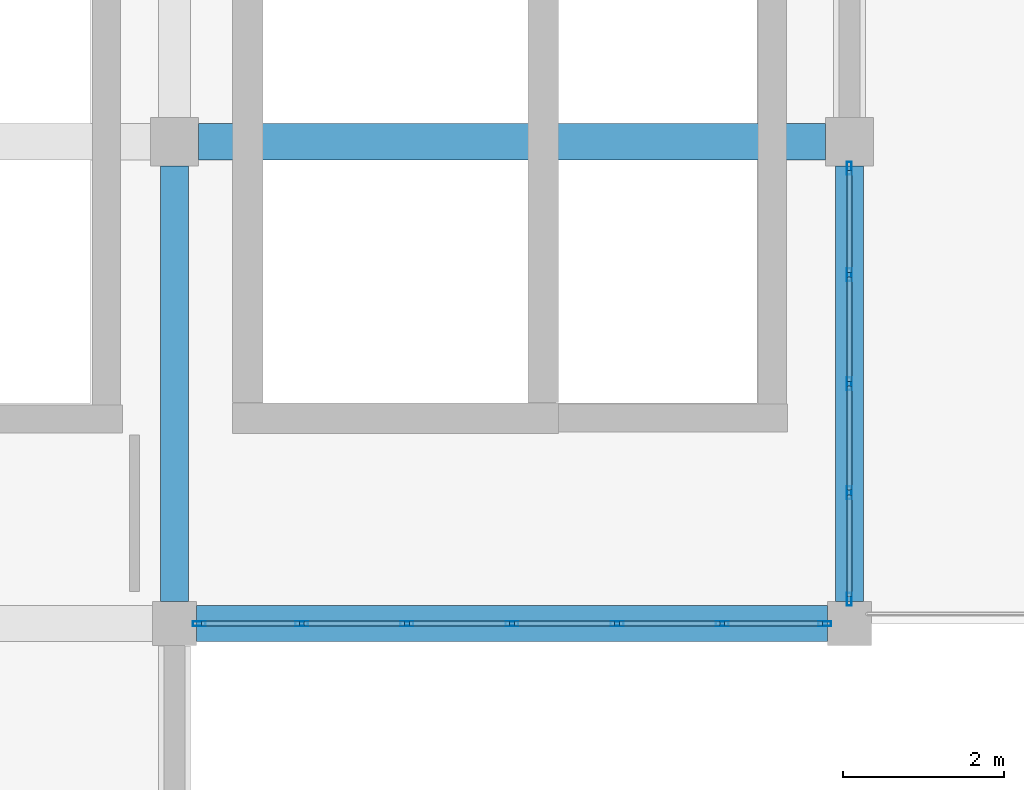
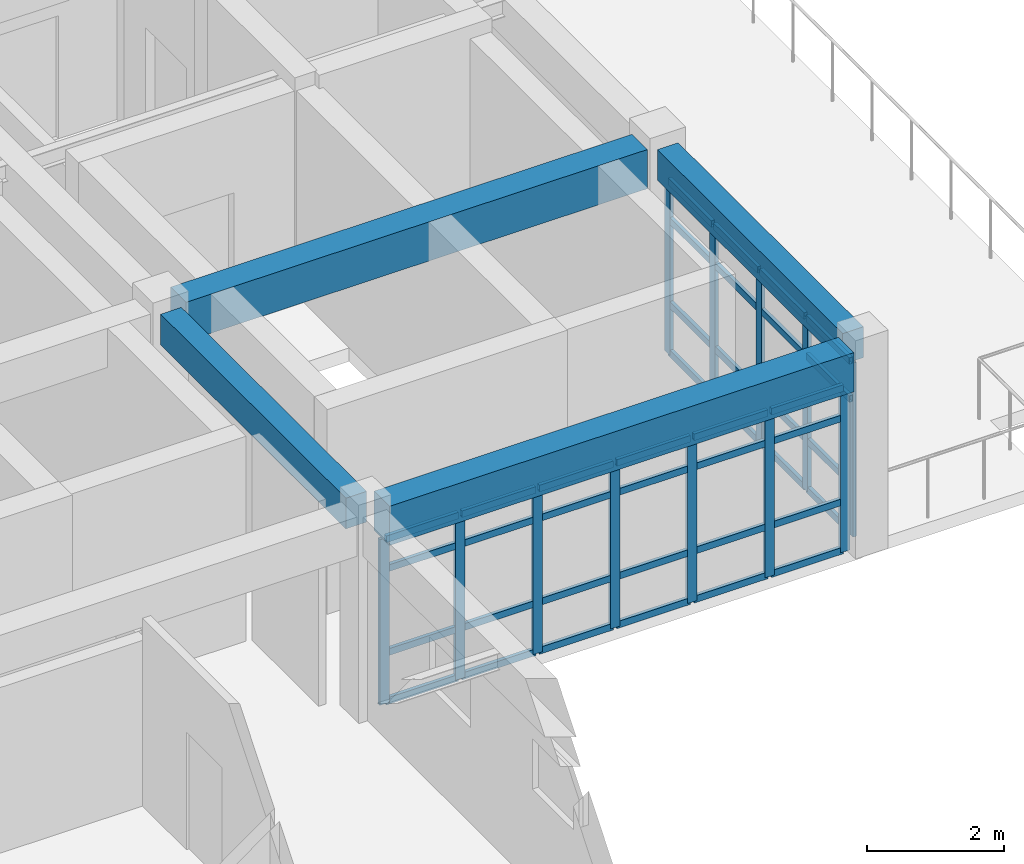
# One storey, part 6 of 17: 52 members, 4 beams, 2 elements without a shape of their own.
"""IFC4 building model written with IfcOpenShell, lengths in metres."""

from ifc_helpers import new_model, si_unit, direction, frame, origin, origin_2d, place, context, subcontext, project, spatial, rectangle, hollow_rectangle, extrude, material, layer, layer_set, material_profile, profile_set, type_object, element, aggregate, save


model = new_model("IFC4")

# Units and contexts
model_context = context("Model", 3, precision=1e-05, world=origin(), true_north=direction((0.0, 1.0)))
body_context = subcontext(model_context, "Body", "Model", "MODEL_VIEW")
ifc_project = project(units=[si_unit("LENGTHUNIT", "METRE"), si_unit("AREAUNIT", "SQUARE_METRE"), si_unit("VOLUMEUNIT", "CUBIC_METRE"), si_unit("PLANEANGLEUNIT", "RADIAN"), si_unit("MASSUNIT", "GRAM", prefix="KILO")], contexts=[model_context])

# Site, building, storey
site_placement = place(None, origin())
site = spatial("IfcSite", under=ifc_project, at=site_placement, CompositionType="ELEMENT")
building_placement = place(site_placement, origin())
building = spatial("IfcBuilding", under=site, at=building_placement, Name="Krzemoval Escarpment Law Courts", CompositionType="ELEMENT")
storey_placement = place(building_placement, frame((0.0, 0.0, 42.0)))
storey = spatial("IfcBuildingStorey", under=building, at=storey_placement, Name="L09", CompositionType="ELEMENT", Elevation=42.0)

# Beams
ifc_material_1 = material(Name="Concrete C40/50", Category="concrete")
ifc_material_profile_1 = material_profile(ifc_material_1, rectangle(XDim=0.35009765625, YDim=0.550048828125, at=origin_2d()), Name="RCB 350x550")
ifc_profile_set_1 = profile_set([ifc_material_profile_1], Name="Concrete C40/50")
beam_type_1 = type_object("IfcBeamType", Name="BM-RC-350x550", PredefinedType="BEAM", material=ifc_profile_set_1)
for number, where, z_axis, x_axis, name in (
    (1, (142.800048828125, 93.875, 3.385009765625), (0.0, 1.0, 0.0), (-1.0, 0.0, 0.0), "Beam FG-L09-2812"),
    (2, (151.199951171875, 93.875, 3.385009765625), (0.0, 1.0, 0.0), (-1.0, 0.0, 0.0), "Beam FG-L09-2816"),
):
    element("IfcBeam", number, at=place(storey_placement, frame(where, z_axis=z_axis, x_axis=x_axis)), inside=storey, type_object=beam_type_1, Name=name, PredefinedType="BEAM", context=body_context, shape_type="SweptSolid", body=[
        extrude(rectangle(XDim=0.35009765625, YDim=0.550048828125, at=origin_2d()), origin(), (0.0, 0.0, 1.0), 5.425048828125),
    ])
ifc_material_2 = material(Name="Concrete C40/50", Category="concrete")
ifc_material_profile_2 = material_profile(ifc_material_2, rectangle(XDim=0.449951171875, YDim=0.699951171875, at=origin_2d()), Name="RCB 450x700")
ifc_profile_set_2 = profile_set([ifc_material_profile_2], Name="Concrete C40/50")
beam_type_2 = type_object("IfcBeamType", Name="BM-RC-450x700", PredefinedType="BEAM", material=ifc_profile_set_2)
beam_1_placement = place(storey_placement, frame((143.074951171875, 93.60009765625, 3.31005859375), z_axis=(1.0, 0.0, 0.0), x_axis=(0.0, 1.0, 0.0)))
element("IfcBeam", 3, at=beam_1_placement, inside=storey, type_object=beam_type_2, Name="Beam FG-L09-2788", PredefinedType="BEAM", context=body_context, shape_type="SweptSolid", body=[
    extrude(rectangle(XDim=0.449951171875, YDim=0.699951171875, at=origin_2d()), origin(), (0.0, 0.0, 1.0), 7.85009765625),
])
beam_2_placement = place(storey_placement, frame((143.10009765625, 99.60009765625, 3.31005859375), z_axis=(1.0, 0.0, 0.0), x_axis=(0.0, 1.0, 0.0)))
element("IfcBeam", 4, at=beam_2_placement, inside=storey, type_object=beam_type_2, Name="Beam FG-L09-2791", PredefinedType="BEAM", context=body_context, shape_type="SweptSolid", body=[
    extrude(rectangle(XDim=0.449951171875, YDim=0.699951171875, at=origin_2d()), origin(), (0.0, 0.0, 1.0), 7.7998046875),
])

# Curtain wall, members
ifc_material_3 = material(Name="Aluminium 6063-T6", Category="aluminium")
ifc_layer = layer(ifc_material_3, 0.199951171875)
ifc_layer_set = layer_set([ifc_layer], Name="Aluminium 6063-T6")
curtain_wall_type = type_object("IfcCurtainWallType", Name="CW-CRWN-3900", PredefinedType="USERDEFINED", material=ifc_layer_set)
curtain_wall_1_placement = place(storey_placement, origin())
curtain_wall_1 = element("IfcCurtainWall", 5, at=curtain_wall_1_placement, inside=storey, type_object=curtain_wall_type, Name="Unitised Curtain Wall FCW-L09-172", ObjectType="UNITISED_CURTAIN_WALL", PredefinedType="USERDEFINED")
ifc_material_4 = material(Name="Aluminium 6063-T6", Category="aluminium")
ifc_material_profile_3 = material_profile(ifc_material_4, hollow_rectangle(XDim=0.06005859375, YDim=0.159912109375, WallThickness=0.00390625, at=origin_2d()), Name="ALU M60x160")
ifc_profile_set_3 = profile_set([ifc_material_profile_3], Name="Aluminium 6063-T6")
member_type_1 = type_object("IfcMemberType", Name="CWM-60x160", PredefinedType="MULLION", material=ifc_profile_set_3)
member_1_placement = place(storey_placement, frame((151.199951171875, 99.27001953125, 0.0), z_axis=(0.0, 0.0, 1.0), x_axis=(1.0, 0.0, 0.0)))
member_1 = element("IfcMember", 6, at=member_1_placement, type_object=member_type_1, Name="FCW-L09-172 mullion 1", PredefinedType="MULLION", context=body_context, shape_type="SweptSolid", body=[
    extrude(hollow_rectangle(XDim=0.06005859375, YDim=0.159912109375, WallThickness=0.00390625, at=origin_2d()), origin(), (0.0, 0.0, 1.0), 3.110107421875),
])
member_2_placement = place(storey_placement, frame((151.199951171875, 97.94384765625, 0.0), z_axis=(0.0, 0.0, 1.0), x_axis=(1.0, 0.0, 0.0)))
member_2 = element("IfcMember", 7, at=member_2_placement, type_object=member_type_1, Name="FCW-L09-172 mullion 2", PredefinedType="MULLION", context=body_context, shape_type="SweptSolid", body=[
    extrude(hollow_rectangle(XDim=0.06005859375, YDim=0.159912109375, WallThickness=0.00390625, at=origin_2d()), origin(), (0.0, 0.0, 1.0), 3.110107421875),
])
member_3_placement = place(storey_placement, frame((151.199951171875, 96.58740234375, 0.0), z_axis=(0.0, 0.0, 1.0), x_axis=(1.0, 0.0, 0.0)))
member_3 = element("IfcMember", 8, at=member_3_placement, type_object=member_type_1, Name="FCW-L09-172 mullion 3", PredefinedType="MULLION", context=body_context, shape_type="SweptSolid", body=[
    extrude(hollow_rectangle(XDim=0.06005859375, YDim=0.159912109375, WallThickness=0.00390625, at=origin_2d()), origin(), (0.0, 0.0, 1.0), 3.110107421875),
])
member_4_placement = place(storey_placement, frame((151.199951171875, 95.231201171875, 0.0), z_axis=(0.0, 0.0, 1.0), x_axis=(1.0, 0.0, 0.0)))
member_4 = element("IfcMember", 9, at=member_4_placement, type_object=member_type_1, Name="FCW-L09-172 mullion 4", PredefinedType="MULLION", context=body_context, shape_type="SweptSolid", body=[
    extrude(hollow_rectangle(XDim=0.06005859375, YDim=0.159912109375, WallThickness=0.00390625, at=origin_2d()), origin(), (0.0, 0.0, 1.0), 3.110107421875),
])
member_5_placement = place(storey_placement, frame((151.199951171875, 93.905029296875, 0.0), z_axis=(0.0, 0.0, 1.0), x_axis=(1.0, 0.0, 0.0)))
member_5 = element("IfcMember", 10, at=member_5_placement, type_object=member_type_1, Name="FCW-L09-172 mullion 5", PredefinedType="MULLION", context=body_context, shape_type="SweptSolid", body=[
    extrude(hollow_rectangle(XDim=0.06005859375, YDim=0.159912109375, WallThickness=0.00390625, at=origin_2d()), origin(), (0.0, 0.0, 1.0), 3.110107421875),
])

curtain_wall_2_placement = place(storey_placement, origin())
curtain_wall_2 = element("IfcCurtainWall", 11, at=curtain_wall_2_placement, inside=storey, type_object=curtain_wall_type, Name="Unitised Curtain Wall FCW-L09-173", ObjectType="UNITISED_CURTAIN_WALL", PredefinedType="USERDEFINED")
member_6_placement = place(storey_placement, frame((150.89501953125, 93.60009765625, 0.0), z_axis=(0.0, 0.0, 1.0), x_axis=(0.0, -1.0, 0.0)))
member_6 = element("IfcMember", 12, at=member_6_placement, type_object=member_type_1, Name="FCW-L09-173 mullion 1", PredefinedType="MULLION", context=body_context, shape_type="SweptSolid", body=[
    extrude(hollow_rectangle(XDim=0.06005859375, YDim=0.159912109375, WallThickness=0.00390625, at=origin_2d()), origin(), (0.0, 0.0, 1.0), 2.9599609375),
])
member_7_placement = place(storey_placement, frame((149.61669921875, 93.60009765625, 0.0), z_axis=(0.0, 0.0, 1.0), x_axis=(0.0, -1.0, 0.0)))
member_7 = element("IfcMember", 13, at=member_7_placement, type_object=member_type_1, Name="FCW-L09-173 mullion 2", PredefinedType="MULLION", context=body_context, shape_type="SweptSolid", body=[
    extrude(hollow_rectangle(XDim=0.06005859375, YDim=0.159912109375, WallThickness=0.00390625, at=origin_2d()), origin(), (0.0, 0.0, 1.0), 2.9599609375),
])
member_8_placement = place(storey_placement, frame((148.308349609375, 93.60009765625, 0.0), z_axis=(0.0, 0.0, 1.0), x_axis=(0.0, -1.0, 0.0)))
member_8 = element("IfcMember", 14, at=member_8_placement, type_object=member_type_1, Name="FCW-L09-173 mullion 3", PredefinedType="MULLION", context=body_context, shape_type="SweptSolid", body=[
    extrude(hollow_rectangle(XDim=0.06005859375, YDim=0.159912109375, WallThickness=0.00390625, at=origin_2d()), origin(), (0.0, 0.0, 1.0), 2.9599609375),
])
member_9_placement = place(storey_placement, frame((147.0, 93.60009765625, 0.0), z_axis=(0.0, 0.0, 1.0), x_axis=(0.0, -1.0, 0.0)))
member_9 = element("IfcMember", 15, at=member_9_placement, type_object=member_type_1, Name="FCW-L09-173 mullion 4", PredefinedType="MULLION", context=body_context, shape_type="SweptSolid", body=[
    extrude(hollow_rectangle(XDim=0.06005859375, YDim=0.159912109375, WallThickness=0.00390625, at=origin_2d()), origin(), (0.0, 0.0, 1.0), 2.9599609375),
])
member_10_placement = place(storey_placement, frame((145.691650390625, 93.60009765625, 0.0), z_axis=(0.0, 0.0, 1.0), x_axis=(0.0, -1.0, 0.0)))
member_10 = element("IfcMember", 16, at=member_10_placement, type_object=member_type_1, Name="FCW-L09-173 mullion 5", PredefinedType="MULLION", context=body_context, shape_type="SweptSolid", body=[
    extrude(hollow_rectangle(XDim=0.06005859375, YDim=0.159912109375, WallThickness=0.00390625, at=origin_2d()), origin(), (0.0, 0.0, 1.0), 2.9599609375),
])
member_11_placement = place(storey_placement, frame((144.38330078125, 93.60009765625, 0.0), z_axis=(0.0, 0.0, 1.0), x_axis=(0.0, -1.0, 0.0)))
member_11 = element("IfcMember", 17, at=member_11_placement, type_object=member_type_1, Name="FCW-L09-173 mullion 6", PredefinedType="MULLION", context=body_context, shape_type="SweptSolid", body=[
    extrude(hollow_rectangle(XDim=0.06005859375, YDim=0.159912109375, WallThickness=0.00390625, at=origin_2d()), origin(), (0.0, 0.0, 1.0), 2.9599609375),
])
member_12_placement = place(storey_placement, frame((143.10498046875, 93.60009765625, 0.0), z_axis=(0.0, 0.0, 1.0), x_axis=(0.0, -1.0, 0.0)))
member_12 = element("IfcMember", 18, at=member_12_placement, type_object=member_type_1, Name="FCW-L09-173 mullion 7", PredefinedType="MULLION", context=body_context, shape_type="SweptSolid", body=[
    extrude(hollow_rectangle(XDim=0.06005859375, YDim=0.159912109375, WallThickness=0.00390625, at=origin_2d()), origin(), (0.0, 0.0, 1.0), 2.9599609375),
])

# Member
ifc_material_5 = material(Name="Aluminium 6063-T6", Category="aluminium")
ifc_material_profile_4 = material_profile(ifc_material_5, hollow_rectangle(XDim=0.06005859375, YDim=0.1201171875, WallThickness=0.00390625, at=origin_2d()), Name="ALU T60x120")
ifc_profile_set_4 = profile_set([ifc_material_profile_4], Name="Aluminium 6063-T6")
member_type_2 = type_object("IfcMemberType", Name="CWT-60x120", PredefinedType="USERDEFINED", material=ifc_profile_set_4)
member_13_placement = place(storey_placement, frame((151.199951171875, 99.239990234375, 0.030029296875), z_axis=(0.0, -1.0, 0.0), x_axis=(1.0, 0.0, 0.0)))
member_13 = element("IfcMember", 19, at=member_13_placement, type_object=member_type_2, Name="FCW-L09-172 transom 1.1", ObjectType="TRANSOM", PredefinedType="USERDEFINED", context=body_context, shape_type="SweptSolid", body=[
    extrude(hollow_rectangle(XDim=0.06005859375, YDim=0.1201171875, WallThickness=0.00390625, at=origin_2d()), origin(), (0.0, 0.0, 1.0), 1.266357421875),
])

member_14_placement = place(storey_placement, frame((151.199951171875, 99.239990234375, 0.89990234375), z_axis=(0.0, -1.0, 0.0), x_axis=(1.0, 0.0, 0.0)))
member_14 = element("IfcMember", 20, at=member_14_placement, type_object=member_type_2, Name="FCW-L09-172 transom 1.2", ObjectType="TRANSOM", PredefinedType="USERDEFINED", context=body_context, shape_type="SweptSolid", body=[
    extrude(hollow_rectangle(XDim=0.06005859375, YDim=0.1201171875, WallThickness=0.00390625, at=origin_2d()), origin(), (0.0, 0.0, 1.0), 1.266357421875),
])

member_15_placement = place(storey_placement, frame((151.199951171875, 99.239990234375, 2.39990234375), z_axis=(0.0, -1.0, 0.0), x_axis=(1.0, 0.0, 0.0)))
member_15 = element("IfcMember", 21, at=member_15_placement, type_object=member_type_2, Name="FCW-L09-172 transom 1.3", ObjectType="TRANSOM", PredefinedType="USERDEFINED", context=body_context, shape_type="SweptSolid", body=[
    extrude(hollow_rectangle(XDim=0.06005859375, YDim=0.1201171875, WallThickness=0.00390625, at=origin_2d()), origin(), (0.0, 0.0, 1.0), 1.266357421875),
])

member_16_placement = place(storey_placement, frame((151.199951171875, 99.239990234375, 3.080078125), z_axis=(0.0, -1.0, 0.0), x_axis=(1.0, 0.0, 0.0)))
member_16 = element("IfcMember", 22, at=member_16_placement, type_object=member_type_2, Name="FCW-L09-172 transom 1.4", ObjectType="TRANSOM", PredefinedType="USERDEFINED", context=body_context, shape_type="SweptSolid", body=[
    extrude(hollow_rectangle(XDim=0.06005859375, YDim=0.1201171875, WallThickness=0.00390625, at=origin_2d()), origin(), (0.0, 0.0, 1.0), 1.266357421875),
])

member_17_placement = place(storey_placement, frame((151.199951171875, 97.913818359375, 0.030029296875), z_axis=(0.0, -1.0, 0.0), x_axis=(1.0, 0.0, 0.0)))
member_17 = element("IfcMember", 23, at=member_17_placement, type_object=member_type_2, Name="FCW-L09-172 transom 2.1", ObjectType="TRANSOM", PredefinedType="USERDEFINED", context=body_context, shape_type="SweptSolid", body=[
    extrude(hollow_rectangle(XDim=0.06005859375, YDim=0.1201171875, WallThickness=0.00390625, at=origin_2d()), origin(), (0.0, 0.0, 1.0), 1.29638671875),
])

member_18_placement = place(storey_placement, frame((151.199951171875, 97.913818359375, 0.89990234375), z_axis=(0.0, -1.0, 0.0), x_axis=(1.0, 0.0, 0.0)))
member_18 = element("IfcMember", 24, at=member_18_placement, type_object=member_type_2, Name="FCW-L09-172 transom 2.2", ObjectType="TRANSOM", PredefinedType="USERDEFINED", context=body_context, shape_type="SweptSolid", body=[
    extrude(hollow_rectangle(XDim=0.06005859375, YDim=0.1201171875, WallThickness=0.00390625, at=origin_2d()), origin(), (0.0, 0.0, 1.0), 1.29638671875),
])

member_19_placement = place(storey_placement, frame((151.199951171875, 97.913818359375, 2.39990234375), z_axis=(0.0, -1.0, 0.0), x_axis=(1.0, 0.0, 0.0)))
member_19 = element("IfcMember", 25, at=member_19_placement, type_object=member_type_2, Name="FCW-L09-172 transom 2.3", ObjectType="TRANSOM", PredefinedType="USERDEFINED", context=body_context, shape_type="SweptSolid", body=[
    extrude(hollow_rectangle(XDim=0.06005859375, YDim=0.1201171875, WallThickness=0.00390625, at=origin_2d()), origin(), (0.0, 0.0, 1.0), 1.29638671875),
])

member_20_placement = place(storey_placement, frame((151.199951171875, 97.913818359375, 3.080078125), z_axis=(0.0, -1.0, 0.0), x_axis=(1.0, 0.0, 0.0)))
member_20 = element("IfcMember", 26, at=member_20_placement, type_object=member_type_2, Name="FCW-L09-172 transom 2.4", ObjectType="TRANSOM", PredefinedType="USERDEFINED", context=body_context, shape_type="SweptSolid", body=[
    extrude(hollow_rectangle(XDim=0.06005859375, YDim=0.1201171875, WallThickness=0.00390625, at=origin_2d()), origin(), (0.0, 0.0, 1.0), 1.29638671875),
])

member_21_placement = place(storey_placement, frame((151.199951171875, 96.5576171875, 0.030029296875), z_axis=(0.0, -1.0, 0.0), x_axis=(1.0, 0.0, 0.0)))
member_21 = element("IfcMember", 27, at=member_21_placement, type_object=member_type_2, Name="FCW-L09-172 transom 3.1", ObjectType="TRANSOM", PredefinedType="USERDEFINED", context=body_context, shape_type="SweptSolid", body=[
    extrude(hollow_rectangle(XDim=0.06005859375, YDim=0.1201171875, WallThickness=0.00390625, at=origin_2d()), origin(), (0.0, 0.0, 1.0), 1.29638671875),
])

member_22_placement = place(storey_placement, frame((151.199951171875, 96.5576171875, 0.89990234375), z_axis=(0.0, -1.0, 0.0), x_axis=(1.0, 0.0, 0.0)))
member_22 = element("IfcMember", 28, at=member_22_placement, type_object=member_type_2, Name="FCW-L09-172 transom 3.2", ObjectType="TRANSOM", PredefinedType="USERDEFINED", context=body_context, shape_type="SweptSolid", body=[
    extrude(hollow_rectangle(XDim=0.06005859375, YDim=0.1201171875, WallThickness=0.00390625, at=origin_2d()), origin(), (0.0, 0.0, 1.0), 1.29638671875),
])

member_23_placement = place(storey_placement, frame((151.199951171875, 96.5576171875, 2.39990234375), z_axis=(0.0, -1.0, 0.0), x_axis=(1.0, 0.0, 0.0)))
member_23 = element("IfcMember", 29, at=member_23_placement, type_object=member_type_2, Name="FCW-L09-172 transom 3.3", ObjectType="TRANSOM", PredefinedType="USERDEFINED", context=body_context, shape_type="SweptSolid", body=[
    extrude(hollow_rectangle(XDim=0.06005859375, YDim=0.1201171875, WallThickness=0.00390625, at=origin_2d()), origin(), (0.0, 0.0, 1.0), 1.29638671875),
])

member_24_placement = place(storey_placement, frame((151.199951171875, 96.5576171875, 3.080078125), z_axis=(0.0, -1.0, 0.0), x_axis=(1.0, 0.0, 0.0)))
member_24 = element("IfcMember", 30, at=member_24_placement, type_object=member_type_2, Name="FCW-L09-172 transom 3.4", ObjectType="TRANSOM", PredefinedType="USERDEFINED", context=body_context, shape_type="SweptSolid", body=[
    extrude(hollow_rectangle(XDim=0.06005859375, YDim=0.1201171875, WallThickness=0.00390625, at=origin_2d()), origin(), (0.0, 0.0, 1.0), 1.29638671875),
])

member_25_placement = place(storey_placement, frame((151.199951171875, 95.201171875, 0.030029296875), z_axis=(0.0, -1.0, 0.0), x_axis=(1.0, 0.0, 0.0)))
member_25 = element("IfcMember", 31, at=member_25_placement, type_object=member_type_2, Name="FCW-L09-172 transom 4.1", ObjectType="TRANSOM", PredefinedType="USERDEFINED", context=body_context, shape_type="SweptSolid", body=[
    extrude(hollow_rectangle(XDim=0.06005859375, YDim=0.1201171875, WallThickness=0.00390625, at=origin_2d()), origin(), (0.0, 0.0, 1.0), 1.26611328125),
])

member_26_placement = place(storey_placement, frame((151.199951171875, 95.201171875, 0.89990234375), z_axis=(0.0, -1.0, 0.0), x_axis=(1.0, 0.0, 0.0)))
member_26 = element("IfcMember", 32, at=member_26_placement, type_object=member_type_2, Name="FCW-L09-172 transom 4.2", ObjectType="TRANSOM", PredefinedType="USERDEFINED", context=body_context, shape_type="SweptSolid", body=[
    extrude(hollow_rectangle(XDim=0.06005859375, YDim=0.1201171875, WallThickness=0.00390625, at=origin_2d()), origin(), (0.0, 0.0, 1.0), 1.26611328125),
])

member_27_placement = place(storey_placement, frame((151.199951171875, 95.201171875, 2.39990234375), z_axis=(0.0, -1.0, 0.0), x_axis=(1.0, 0.0, 0.0)))
member_27 = element("IfcMember", 33, at=member_27_placement, type_object=member_type_2, Name="FCW-L09-172 transom 4.3", ObjectType="TRANSOM", PredefinedType="USERDEFINED", context=body_context, shape_type="SweptSolid", body=[
    extrude(hollow_rectangle(XDim=0.06005859375, YDim=0.1201171875, WallThickness=0.00390625, at=origin_2d()), origin(), (0.0, 0.0, 1.0), 1.26611328125),
])

member_28_placement = place(storey_placement, frame((151.199951171875, 95.201171875, 3.080078125), z_axis=(0.0, -1.0, 0.0), x_axis=(1.0, 0.0, 0.0)))
member_28 = element("IfcMember", 34, at=member_28_placement, type_object=member_type_2, Name="FCW-L09-172 transom 4.4", ObjectType="TRANSOM", PredefinedType="USERDEFINED", context=body_context, shape_type="SweptSolid", body=[
    extrude(hollow_rectangle(XDim=0.06005859375, YDim=0.1201171875, WallThickness=0.00390625, at=origin_2d()), origin(), (0.0, 0.0, 1.0), 1.26611328125),
])

aggregate(curtain_wall_1, [member_1, member_2, member_3, member_4, member_5, member_13, member_14, member_15, member_16, member_17, member_18, member_19, member_20, member_21, member_22, member_23, member_24, member_25, member_26, member_27, member_28])

member_29_placement = place(storey_placement, frame((150.864990234375, 93.60009765625, 0.030029296875), z_axis=(-1.0, 0.0, 0.0), x_axis=(0.0, -1.0, 0.0)))
member_29 = element("IfcMember", 35, at=member_29_placement, type_object=member_type_2, Name="FCW-L09-173 transom 1.1", ObjectType="TRANSOM", PredefinedType="USERDEFINED", context=body_context, shape_type="SweptSolid", body=[
    extrude(hollow_rectangle(XDim=0.06005859375, YDim=0.1201171875, WallThickness=0.00390625, at=origin_2d()), origin(), (0.0, 0.0, 1.0), 1.21826171875),
])

member_30_placement = place(storey_placement, frame((150.864990234375, 93.60009765625, 0.89990234375), z_axis=(-1.0, 0.0, 0.0), x_axis=(0.0, -1.0, 0.0)))
member_30 = element("IfcMember", 36, at=member_30_placement, type_object=member_type_2, Name="FCW-L09-173 transom 1.2", ObjectType="TRANSOM", PredefinedType="USERDEFINED", context=body_context, shape_type="SweptSolid", body=[
    extrude(hollow_rectangle(XDim=0.06005859375, YDim=0.1201171875, WallThickness=0.00390625, at=origin_2d()), origin(), (0.0, 0.0, 1.0), 1.21826171875),
])

member_31_placement = place(storey_placement, frame((150.864990234375, 93.60009765625, 2.39990234375), z_axis=(-1.0, 0.0, 0.0), x_axis=(0.0, -1.0, 0.0)))
member_31 = element("IfcMember", 37, at=member_31_placement, type_object=member_type_2, Name="FCW-L09-173 transom 1.3", ObjectType="TRANSOM", PredefinedType="USERDEFINED", context=body_context, shape_type="SweptSolid", body=[
    extrude(hollow_rectangle(XDim=0.06005859375, YDim=0.1201171875, WallThickness=0.00390625, at=origin_2d()), origin(), (0.0, 0.0, 1.0), 1.21826171875),
])

member_32_placement = place(storey_placement, frame((150.864990234375, 93.60009765625, 2.929931640625), z_axis=(-1.0, 0.0, 0.0), x_axis=(0.0, -1.0, 0.0)))
member_32 = element("IfcMember", 38, at=member_32_placement, type_object=member_type_2, Name="FCW-L09-173 transom 1.4", ObjectType="TRANSOM", PredefinedType="USERDEFINED", context=body_context, shape_type="SweptSolid", body=[
    extrude(hollow_rectangle(XDim=0.06005859375, YDim=0.1201171875, WallThickness=0.00390625, at=origin_2d()), origin(), (0.0, 0.0, 1.0), 1.21826171875),
])

member_33_placement = place(storey_placement, frame((149.586669921875, 93.60009765625, 0.030029296875), z_axis=(-1.0, 0.0, 0.0), x_axis=(0.0, -1.0, 0.0)))
member_33 = element("IfcMember", 39, at=member_33_placement, type_object=member_type_2, Name="FCW-L09-173 transom 2.1", ObjectType="TRANSOM", PredefinedType="USERDEFINED", context=body_context, shape_type="SweptSolid", body=[
    extrude(hollow_rectangle(XDim=0.06005859375, YDim=0.1201171875, WallThickness=0.00390625, at=origin_2d()), origin(), (0.0, 0.0, 1.0), 1.248291015625),
])

member_34_placement = place(storey_placement, frame((149.586669921875, 93.60009765625, 0.89990234375), z_axis=(-1.0, 0.0, 0.0), x_axis=(0.0, -1.0, 0.0)))
member_34 = element("IfcMember", 40, at=member_34_placement, type_object=member_type_2, Name="FCW-L09-173 transom 2.2", ObjectType="TRANSOM", PredefinedType="USERDEFINED", context=body_context, shape_type="SweptSolid", body=[
    extrude(hollow_rectangle(XDim=0.06005859375, YDim=0.1201171875, WallThickness=0.00390625, at=origin_2d()), origin(), (0.0, 0.0, 1.0), 1.248291015625),
])

member_35_placement = place(storey_placement, frame((149.586669921875, 93.60009765625, 2.39990234375), z_axis=(-1.0, 0.0, 0.0), x_axis=(0.0, -1.0, 0.0)))
member_35 = element("IfcMember", 41, at=member_35_placement, type_object=member_type_2, Name="FCW-L09-173 transom 2.3", ObjectType="TRANSOM", PredefinedType="USERDEFINED", context=body_context, shape_type="SweptSolid", body=[
    extrude(hollow_rectangle(XDim=0.06005859375, YDim=0.1201171875, WallThickness=0.00390625, at=origin_2d()), origin(), (0.0, 0.0, 1.0), 1.248291015625),
])

member_36_placement = place(storey_placement, frame((149.586669921875, 93.60009765625, 2.929931640625), z_axis=(-1.0, 0.0, 0.0), x_axis=(0.0, -1.0, 0.0)))
member_36 = element("IfcMember", 42, at=member_36_placement, type_object=member_type_2, Name="FCW-L09-173 transom 2.4", ObjectType="TRANSOM", PredefinedType="USERDEFINED", context=body_context, shape_type="SweptSolid", body=[
    extrude(hollow_rectangle(XDim=0.06005859375, YDim=0.1201171875, WallThickness=0.00390625, at=origin_2d()), origin(), (0.0, 0.0, 1.0), 1.248291015625),
])

member_37_placement = place(storey_placement, frame((148.2783203125, 93.60009765625, 0.030029296875), z_axis=(-1.0, 0.0, 0.0), x_axis=(0.0, -1.0, 0.0)))
member_37 = element("IfcMember", 43, at=member_37_placement, type_object=member_type_2, Name="FCW-L09-173 transom 3.1", ObjectType="TRANSOM", PredefinedType="USERDEFINED", context=body_context, shape_type="SweptSolid", body=[
    extrude(hollow_rectangle(XDim=0.06005859375, YDim=0.1201171875, WallThickness=0.00390625, at=origin_2d()), origin(), (0.0, 0.0, 1.0), 1.248291015625),
])

member_38_placement = place(storey_placement, frame((148.2783203125, 93.60009765625, 0.89990234375), z_axis=(-1.0, 0.0, 0.0), x_axis=(0.0, -1.0, 0.0)))
member_38 = element("IfcMember", 44, at=member_38_placement, type_object=member_type_2, Name="FCW-L09-173 transom 3.2", ObjectType="TRANSOM", PredefinedType="USERDEFINED", context=body_context, shape_type="SweptSolid", body=[
    extrude(hollow_rectangle(XDim=0.06005859375, YDim=0.1201171875, WallThickness=0.00390625, at=origin_2d()), origin(), (0.0, 0.0, 1.0), 1.248291015625),
])

member_39_placement = place(storey_placement, frame((148.2783203125, 93.60009765625, 2.39990234375), z_axis=(-1.0, 0.0, 0.0), x_axis=(0.0, -1.0, 0.0)))
member_39 = element("IfcMember", 45, at=member_39_placement, type_object=member_type_2, Name="FCW-L09-173 transom 3.3", ObjectType="TRANSOM", PredefinedType="USERDEFINED", context=body_context, shape_type="SweptSolid", body=[
    extrude(hollow_rectangle(XDim=0.06005859375, YDim=0.1201171875, WallThickness=0.00390625, at=origin_2d()), origin(), (0.0, 0.0, 1.0), 1.248291015625),
])

member_40_placement = place(storey_placement, frame((148.2783203125, 93.60009765625, 2.929931640625), z_axis=(-1.0, 0.0, 0.0), x_axis=(0.0, -1.0, 0.0)))
member_40 = element("IfcMember", 46, at=member_40_placement, type_object=member_type_2, Name="FCW-L09-173 transom 3.4", ObjectType="TRANSOM", PredefinedType="USERDEFINED", context=body_context, shape_type="SweptSolid", body=[
    extrude(hollow_rectangle(XDim=0.06005859375, YDim=0.1201171875, WallThickness=0.00390625, at=origin_2d()), origin(), (0.0, 0.0, 1.0), 1.248291015625),
])

member_41_placement = place(storey_placement, frame((146.969970703125, 93.60009765625, 0.030029296875), z_axis=(-1.0, 0.0, 0.0), x_axis=(0.0, -1.0, 0.0)))
member_41 = element("IfcMember", 47, at=member_41_placement, type_object=member_type_2, Name="FCW-L09-173 transom 4.1", ObjectType="TRANSOM", PredefinedType="USERDEFINED", context=body_context, shape_type="SweptSolid", body=[
    extrude(hollow_rectangle(XDim=0.06005859375, YDim=0.1201171875, WallThickness=0.00390625, at=origin_2d()), origin(), (0.0, 0.0, 1.0), 1.248291015625),
])

member_42_placement = place(storey_placement, frame((146.969970703125, 93.60009765625, 0.89990234375), z_axis=(-1.0, 0.0, 0.0), x_axis=(0.0, -1.0, 0.0)))
member_42 = element("IfcMember", 48, at=member_42_placement, type_object=member_type_2, Name="FCW-L09-173 transom 4.2", ObjectType="TRANSOM", PredefinedType="USERDEFINED", context=body_context, shape_type="SweptSolid", body=[
    extrude(hollow_rectangle(XDim=0.06005859375, YDim=0.1201171875, WallThickness=0.00390625, at=origin_2d()), origin(), (0.0, 0.0, 1.0), 1.248291015625),
])

member_43_placement = place(storey_placement, frame((146.969970703125, 93.60009765625, 2.39990234375), z_axis=(-1.0, 0.0, 0.0), x_axis=(0.0, -1.0, 0.0)))
member_43 = element("IfcMember", 49, at=member_43_placement, type_object=member_type_2, Name="FCW-L09-173 transom 4.3", ObjectType="TRANSOM", PredefinedType="USERDEFINED", context=body_context, shape_type="SweptSolid", body=[
    extrude(hollow_rectangle(XDim=0.06005859375, YDim=0.1201171875, WallThickness=0.00390625, at=origin_2d()), origin(), (0.0, 0.0, 1.0), 1.248291015625),
])

member_44_placement = place(storey_placement, frame((146.969970703125, 93.60009765625, 2.929931640625), z_axis=(-1.0, 0.0, 0.0), x_axis=(0.0, -1.0, 0.0)))
member_44 = element("IfcMember", 50, at=member_44_placement, type_object=member_type_2, Name="FCW-L09-173 transom 4.4", ObjectType="TRANSOM", PredefinedType="USERDEFINED", context=body_context, shape_type="SweptSolid", body=[
    extrude(hollow_rectangle(XDim=0.06005859375, YDim=0.1201171875, WallThickness=0.00390625, at=origin_2d()), origin(), (0.0, 0.0, 1.0), 1.248291015625),
])

member_45_placement = place(storey_placement, frame((145.66162109375, 93.60009765625, 0.030029296875), z_axis=(-1.0, 0.0, 0.0), x_axis=(0.0, -1.0, 0.0)))
member_45 = element("IfcMember", 51, at=member_45_placement, type_object=member_type_2, Name="FCW-L09-173 transom 5.1", ObjectType="TRANSOM", PredefinedType="USERDEFINED", context=body_context, shape_type="SweptSolid", body=[
    extrude(hollow_rectangle(XDim=0.06005859375, YDim=0.1201171875, WallThickness=0.00390625, at=origin_2d()), origin(), (0.0, 0.0, 1.0), 1.248291015625),
])

member_46_placement = place(storey_placement, frame((145.66162109375, 93.60009765625, 0.89990234375), z_axis=(-1.0, 0.0, 0.0), x_axis=(0.0, -1.0, 0.0)))
member_46 = element("IfcMember", 52, at=member_46_placement, type_object=member_type_2, Name="FCW-L09-173 transom 5.2", ObjectType="TRANSOM", PredefinedType="USERDEFINED", context=body_context, shape_type="SweptSolid", body=[
    extrude(hollow_rectangle(XDim=0.06005859375, YDim=0.1201171875, WallThickness=0.00390625, at=origin_2d()), origin(), (0.0, 0.0, 1.0), 1.248291015625),
])

member_47_placement = place(storey_placement, frame((145.66162109375, 93.60009765625, 2.39990234375), z_axis=(-1.0, 0.0, 0.0), x_axis=(0.0, -1.0, 0.0)))
member_47 = element("IfcMember", 53, at=member_47_placement, type_object=member_type_2, Name="FCW-L09-173 transom 5.3", ObjectType="TRANSOM", PredefinedType="USERDEFINED", context=body_context, shape_type="SweptSolid", body=[
    extrude(hollow_rectangle(XDim=0.06005859375, YDim=0.1201171875, WallThickness=0.00390625, at=origin_2d()), origin(), (0.0, 0.0, 1.0), 1.248291015625),
])

member_48_placement = place(storey_placement, frame((145.66162109375, 93.60009765625, 2.929931640625), z_axis=(-1.0, 0.0, 0.0), x_axis=(0.0, -1.0, 0.0)))
member_48 = element("IfcMember", 54, at=member_48_placement, type_object=member_type_2, Name="FCW-L09-173 transom 5.4", ObjectType="TRANSOM", PredefinedType="USERDEFINED", context=body_context, shape_type="SweptSolid", body=[
    extrude(hollow_rectangle(XDim=0.06005859375, YDim=0.1201171875, WallThickness=0.00390625, at=origin_2d()), origin(), (0.0, 0.0, 1.0), 1.248291015625),
])

member_49_placement = place(storey_placement, frame((144.353271484375, 93.60009765625, 0.030029296875), z_axis=(-1.0, 0.0, 0.0), x_axis=(0.0, -1.0, 0.0)))
member_49 = element("IfcMember", 55, at=member_49_placement, type_object=member_type_2, Name="FCW-L09-173 transom 6.1", ObjectType="TRANSOM", PredefinedType="USERDEFINED", context=body_context, shape_type="SweptSolid", body=[
    extrude(hollow_rectangle(XDim=0.06005859375, YDim=0.1201171875, WallThickness=0.00390625, at=origin_2d()), origin(), (0.0, 0.0, 1.0), 1.21826171875),
])

member_50_placement = place(storey_placement, frame((144.353271484375, 93.60009765625, 0.89990234375), z_axis=(-1.0, 0.0, 0.0), x_axis=(0.0, -1.0, 0.0)))
member_50 = element("IfcMember", 56, at=member_50_placement, type_object=member_type_2, Name="FCW-L09-173 transom 6.2", ObjectType="TRANSOM", PredefinedType="USERDEFINED", context=body_context, shape_type="SweptSolid", body=[
    extrude(hollow_rectangle(XDim=0.06005859375, YDim=0.1201171875, WallThickness=0.00390625, at=origin_2d()), origin(), (0.0, 0.0, 1.0), 1.21826171875),
])

member_51_placement = place(storey_placement, frame((144.353271484375, 93.60009765625, 2.39990234375), z_axis=(-1.0, 0.0, 0.0), x_axis=(0.0, -1.0, 0.0)))
member_51 = element("IfcMember", 57, at=member_51_placement, type_object=member_type_2, Name="FCW-L09-173 transom 6.3", ObjectType="TRANSOM", PredefinedType="USERDEFINED", context=body_context, shape_type="SweptSolid", body=[
    extrude(hollow_rectangle(XDim=0.06005859375, YDim=0.1201171875, WallThickness=0.00390625, at=origin_2d()), origin(), (0.0, 0.0, 1.0), 1.21826171875),
])

member_52_placement = place(storey_placement, frame((144.353271484375, 93.60009765625, 2.929931640625), z_axis=(-1.0, 0.0, 0.0), x_axis=(0.0, -1.0, 0.0)))
member_52 = element("IfcMember", 58, at=member_52_placement, type_object=member_type_2, Name="FCW-L09-173 transom 6.4", ObjectType="TRANSOM", PredefinedType="USERDEFINED", context=body_context, shape_type="SweptSolid", body=[
    extrude(hollow_rectangle(XDim=0.06005859375, YDim=0.1201171875, WallThickness=0.00390625, at=origin_2d()), origin(), (0.0, 0.0, 1.0), 1.21826171875),
])

aggregate(curtain_wall_2, [member_6, member_7, member_8, member_9, member_10, member_11, member_12, member_29, member_30, member_31, member_32, member_33, member_34, member_35, member_36, member_37, member_38, member_39, member_40, member_41, member_42, member_43, member_44, member_45, member_46, member_47, member_48, member_49, member_50, member_51, member_52])

save(model, "model.ifc")
